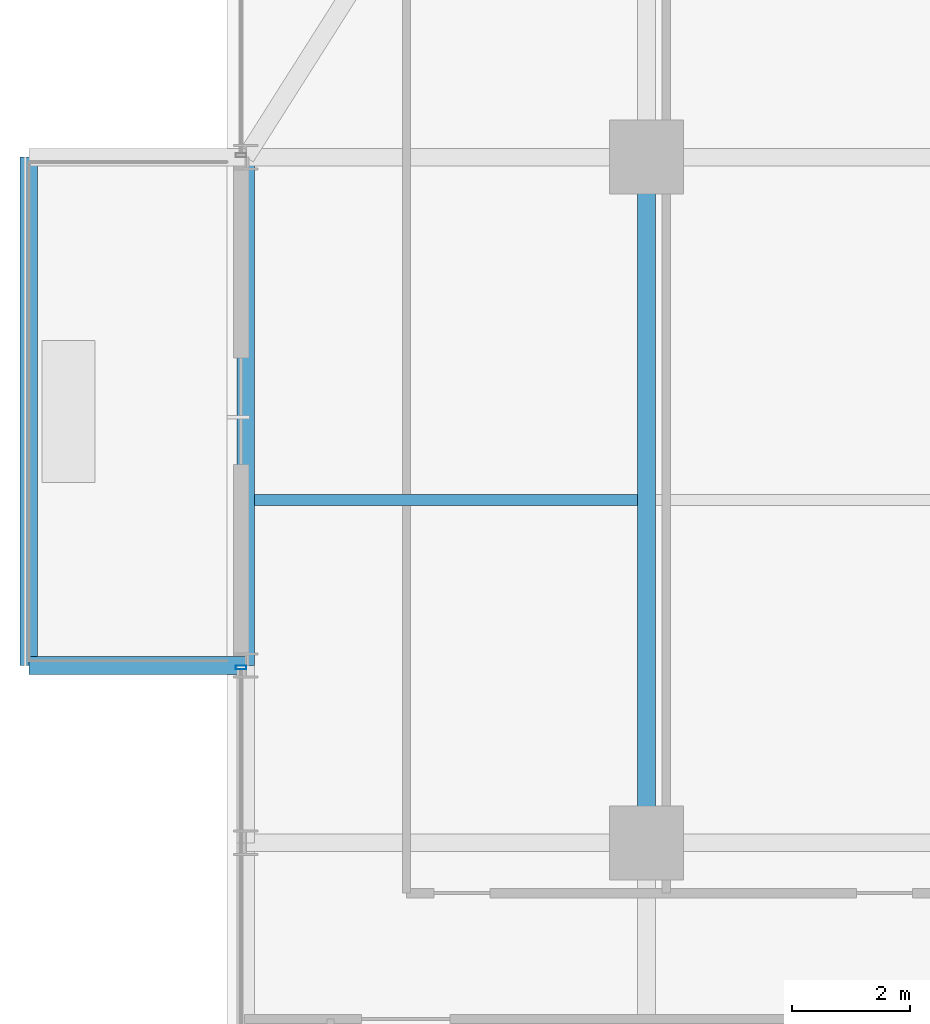
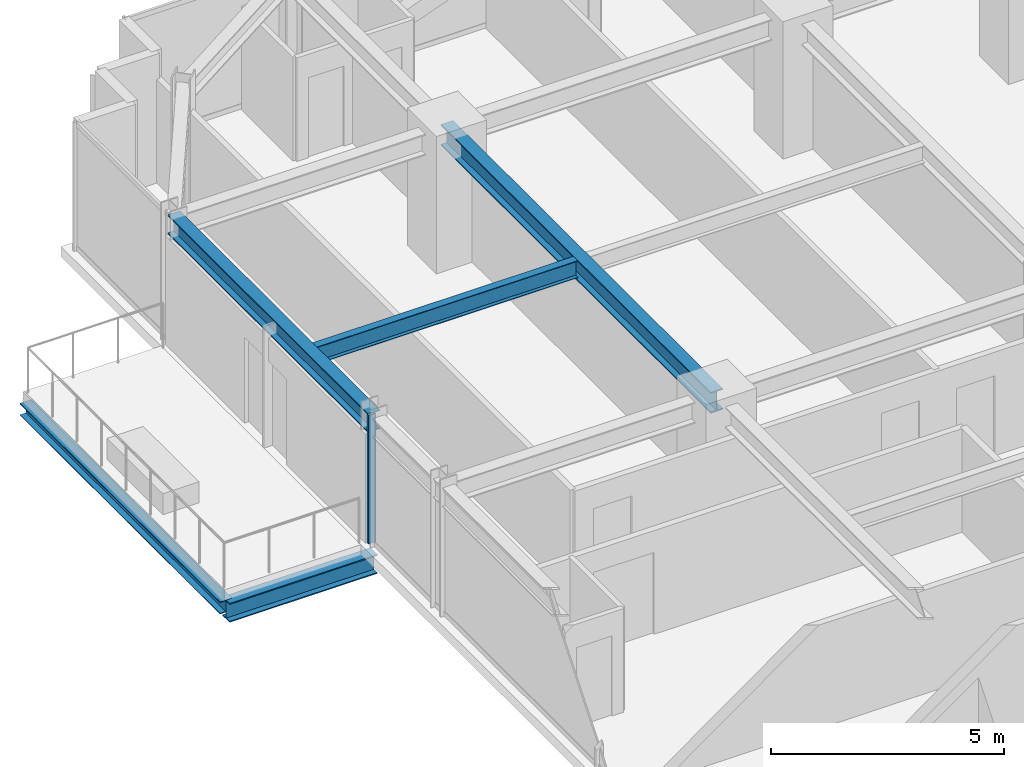
# One storey, part 16 of 40: 5 beams, 1 member, 1 element without a shape of its own.
"""IFC4 building model written with IfcOpenShell, lengths in metres."""

from ifc_helpers import new_model, si_unit, direction, frame, origin, origin_2d, place, context, subcontext, project, spatial, hollow_rectangle, i_section, extrude, source, transform, mapped, material, material_profile, profile_set, type_object, element, aggregate, save


model = new_model("IFC4")

# Units and contexts
model_context = context("Model", 3, precision=1e-05, world=origin(), true_north=direction((0.0, 1.0)))
body_context = subcontext(model_context, "Body", "Model", "MODEL_VIEW")
ifc_project = project(units=[si_unit("LENGTHUNIT", "METRE"), si_unit("AREAUNIT", "SQUARE_METRE"), si_unit("VOLUMEUNIT", "CUBIC_METRE"), si_unit("PLANEANGLEUNIT", "RADIAN"), si_unit("MASSUNIT", "GRAM", prefix="KILO")], contexts=[model_context])

# Site, building, storey
site_placement = place(None, origin())
site = spatial("IfcSite", under=ifc_project, at=site_placement, CompositionType="ELEMENT")
building_placement = place(site_placement, origin())
building = spatial("IfcBuilding", under=site, at=building_placement, Name="Nahalor Promenade Grand Hotel", CompositionType="ELEMENT")
storey_placement = place(building_placement, frame((0.0, 0.0, 91.949951171875)))
storey = spatial("IfcBuildingStorey", under=building, at=storey_placement, Name="L22", CompositionType="ELEMENT", Elevation=91.949951171875)

# Beams
ifc_material_1 = material(Name="Steel S355JR", Category="steel")
ifc_material_profile_1 = material_profile(ifc_material_1, i_section(OverallWidth=0.3, OverallDepth=0.32, WebThickness=0.0115, FlangeThickness=0.0205, at=origin_2d()), Name="HEB 320")
ifc_profile_set_1 = profile_set([ifc_material_profile_1], Name="Steel S355JR")
beam_type_1 = type_object("IfcBeamType", Name="Beam-BalcEdge-HEB320", PredefinedType="SPANDREL", material=ifc_profile_set_1)
shared_shape_1 = source(origin(), body_context, "Body", "SweptSolid", [
    extrude(i_section(OverallWidth=0.3, OverallDepth=0.32, WebThickness=0.0115, FlangeThickness=0.0205, at=origin_2d()), origin(), (0.0, 0.0, 1.0), 8.60009765625),
])
beam_1_placement = place(storey_placement, frame((-27.449951171875, 8.39990234375, -0.43994140625), z_axis=(0.0, 1.0, 0.0), x_axis=(-1.0, 0.0, 0.0)))
element("IfcBeam", 1, at=beam_1_placement, inside=storey, type_object=beam_type_1, Name="BM-L22-BC-02-F", PredefinedType="SPANDREL", context=body_context, shape_type="MappedRepresentation", body=[
    mapped(shared_shape_1, transform((0.0, 0.0, 0.0), scale=1.0)),
])
ifc_material_profile_2 = material_profile(ifc_material_1, i_section(OverallWidth=0.3, OverallDepth=0.5, WebThickness=0.0145, FlangeThickness=0.028, at=origin_2d()), Name="HEB 500")
ifc_profile_set_2 = profile_set([ifc_material_profile_2], Name="Steel S355JR")
beam_type_2 = type_object("IfcBeamType", Name="Beam-Outrigger-HEB500", PredefinedType="BEAM", material=ifc_profile_set_2)
shared_shape_2 = source(origin(), body_context, "Body", "SweptSolid", [
    extrude(i_section(OverallWidth=0.3, OverallDepth=0.5, WebThickness=0.0145, FlangeThickness=0.028, at=origin_2d()), origin(), (0.0, 0.0, 1.0), 3.669921875),
])
beam_2_placement = place(storey_placement, frame((-27.449951171875, 8.39990234375, -0.530029296875), z_axis=(1.0, 0.0, 0.0), x_axis=(0.0, 1.0, 0.0)))
element("IfcBeam", 2, at=beam_2_placement, inside=storey, type_object=beam_type_2, Name="BM-L22-BC-02-1", PredefinedType="BEAM", context=body_context, shape_type="MappedRepresentation", body=[
    mapped(shared_shape_2, transform((0.0, 0.0, 0.0), scale=1.0)),
])
ifc_material_profile_3 = material_profile(ifc_material_1, i_section(OverallWidth=0.3, OverallDepth=0.5, WebThickness=0.0145, FlangeThickness=0.028, at=origin_2d()), Name="HEB 500")
ifc_profile_set_3 = profile_set([ifc_material_profile_3], Name="Steel S355JR")
beam_type_3 = type_object("IfcBeamType", Name="Beam-Spandrel-HEB500", PredefinedType="SPANDREL", material=ifc_profile_set_3)
shared_shape_3 = source(origin(), body_context, "Body", "SweptSolid", [
    extrude(i_section(OverallWidth=0.3, OverallDepth=0.5, WebThickness=0.0145, FlangeThickness=0.028, at=origin_2d()), origin(), (0.0, 0.0, 1.0), 8.60009765625),
])
beam_3_placement = place(storey_placement, frame((-23.780029296875, 8.39990234375, 3.130126953125), z_axis=(0.0, 1.0, 0.0), x_axis=(-1.0, 0.0, 0.0)))
element("IfcBeam", 3, at=beam_3_placement, inside=storey, type_object=beam_type_3, Name="BM-L22-SP-W-4", PredefinedType="SPANDREL", context=body_context, shape_type="MappedRepresentation", body=[
    mapped(shared_shape_3, transform((0.0, 0.0, 0.0), scale=1.0)),
])
ifc_material_profile_4 = material_profile(ifc_material_1, i_section(OverallWidth=0.3, OverallDepth=0.55, WebThickness=0.015, FlangeThickness=0.029, at=origin_2d()), Name="HEB 550")
ifc_profile_set_4 = profile_set([ifc_material_profile_4], Name="Steel S355JR")
beam_type_4 = type_object("IfcBeamType", Name="Beam-Girder-HEB550", PredefinedType="BEAM", material=ifc_profile_set_4)
shared_shape_4 = source(origin(), body_context, "Body", "SweptSolid", [
    extrude(i_section(OverallWidth=0.3, OverallDepth=0.55, WebThickness=0.015, FlangeThickness=0.029, at=origin_2d()), origin(), (0.0, 0.0, 1.0), 11.60009765625),
])
beam_4_placement = place(storey_placement, frame((-17.0, 5.39990234375, 3.10498046875), z_axis=(0.0, 1.0, 0.0), x_axis=(-1.0, 0.0, 0.0)))
element("IfcBeam", 4, at=beam_4_placement, inside=storey, type_object=beam_type_4, Name="BM-L22-GY-0-3", PredefinedType="BEAM", context=body_context, shape_type="MappedRepresentation", body=[
    mapped(shared_shape_4, transform((0.0, 0.0, 0.0), scale=1.0)),
])
ifc_material_profile_5 = material_profile(ifc_material_1, i_section(OverallWidth=0.19, OverallDepth=0.45, WebThickness=0.0094, FlangeThickness=0.0146, at=origin_2d()), Name="IPE 450")
ifc_profile_set_5 = profile_set([ifc_material_profile_5], Name="Steel S355JR")
beam_type_5 = type_object("IfcBeamType", Name="Beam-Joist-IPE450", PredefinedType="JOIST", material=ifc_profile_set_5)
shared_shape_5 = source(origin(), body_context, "Body", "SweptSolid", [
    extrude(i_section(OverallWidth=0.19, OverallDepth=0.45, WebThickness=0.0094, FlangeThickness=0.0146, at=origin_2d()), origin(), (0.0, 0.0, 1.0), 6.47998046875),
])
beam_5_placement = place(storey_placement, frame((-23.6298828125, 11.199951171875, 3.155029296875), z_axis=(1.0, 0.0, 0.0), x_axis=(0.0, 1.0, 0.0)))
element("IfcBeam", 5, at=beam_5_placement, inside=storey, type_object=beam_type_5, Name="BM-L22-JSW-1-0", PredefinedType="JOIST", context=body_context, shape_type="MappedRepresentation", body=[
    mapped(shared_shape_5, transform((0.0, 0.0, 0.0), scale=1.0)),
])

# Curtain wall, member
ifc_material_2 = material(Name="Anodised Bronze Aluminium EN AW-6063 T6", Category="aluminium")
curtain_wall_type = type_object("IfcCurtainWallType", Name="CW2 Typical Hotel Flush Bronze Unitised Curtain Wall", PredefinedType="USERDEFINED", material=ifc_material_2)
curtain_wall_placement = place(storey_placement, origin())
curtain_wall = element("IfcCurtainWall", 6, at=curtain_wall_placement, inside=storey, type_object=curtain_wall_type, Name="L22 Curtain Wall CW-L22-W-1", ObjectType="UNITISED_CURTAIN_WALL", PredefinedType="USERDEFINED")
ifc_material_profile_6 = material_profile(ifc_material_2, hollow_rectangle(XDim=0.065, YDim=0.18, WallThickness=0.004, at=origin_2d()), Name="CWM 65x180x4")
ifc_profile_set_6 = profile_set([ifc_material_profile_6], Name="Anodised Bronze Aluminium EN AW-6063 T6")
member_type = type_object("IfcMemberType", Name="CWM2 Typical Bronze Mullion 65x180", PredefinedType="MULLION", material=ifc_profile_set_6)
shared_shape_6 = source(origin(), body_context, "Body", "SweptSolid", [
    extrude(hollow_rectangle(XDim=0.065, YDim=0.18, WallThickness=0.004, at=origin_2d()), origin(), (0.0, 0.0, 1.0), 3.380126953125),
])
member_placement = place(storey_placement, frame((-23.860107421875, 8.367431640625, 0.0), z_axis=(0.0, 0.0, 1.0), x_axis=(0.0, 1.0, 0.0)))
member = element("IfcMember", 7, at=member_placement, type_object=member_type, Name="CW-L22-W-1 Mullion 3", PredefinedType="MULLION", context=body_context, shape_type="MappedRepresentation", body=[
    mapped(shared_shape_6, transform((0.0, 0.0, 0.0), scale=1.0)),
])
aggregate(curtain_wall, [member])

save(model, "model.ifc")
